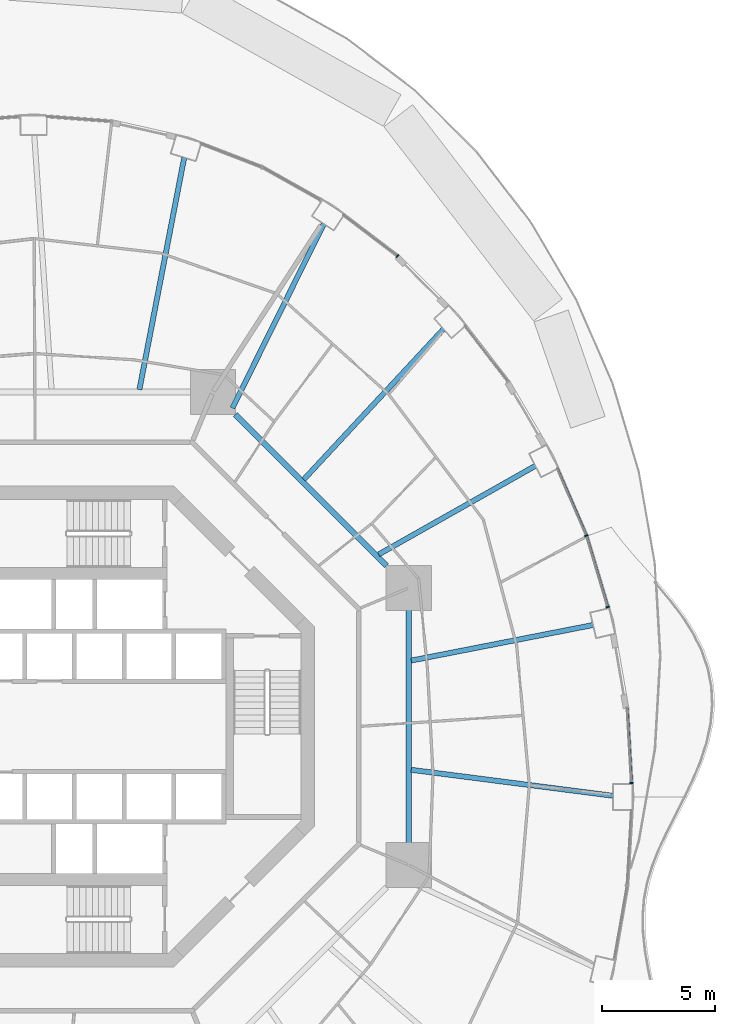
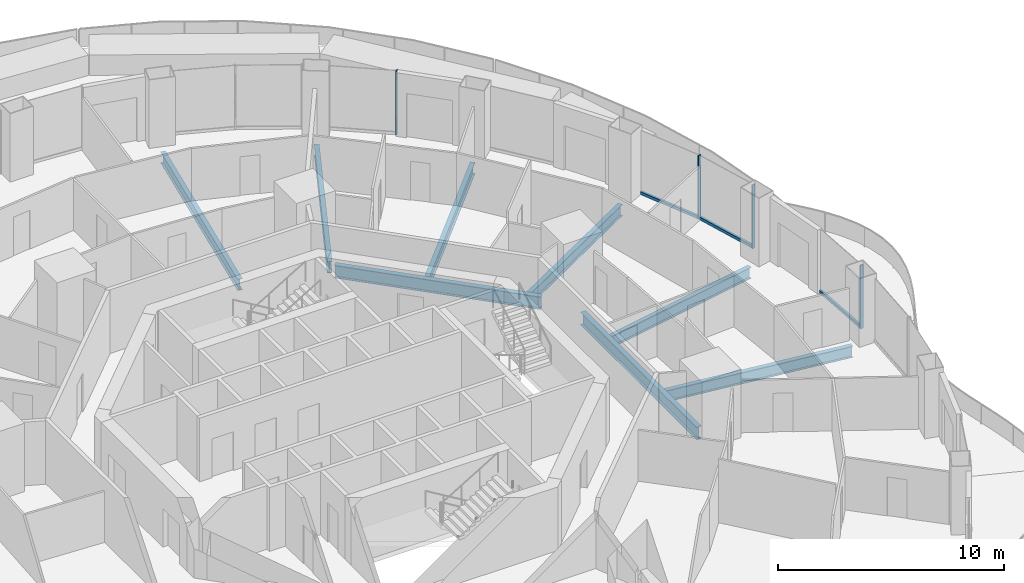
# One storey, part 8 of 20: 8 beams, 7 members, 4 elements without a shape of their own.
"""IFC4 building model written with IfcOpenShell, lengths in metres."""

from ifc_helpers import new_model, si_unit, direction, frame, origin, origin_2d, place, context, subcontext, project, spatial, rectangle, i_section, extrude, material, layer, layer_set, material_profile, profile_set, type_object, element, aggregate, save


model = new_model("IFC4")

# Units and contexts
model_context = context("Model", 3, precision=1e-05, world=origin(), true_north=direction((0.0, 1.0)))
body_context = subcontext(model_context, "Body", "Model", "MODEL_VIEW")
ifc_project = project(units=[si_unit("LENGTHUNIT", "METRE"), si_unit("AREAUNIT", "SQUARE_METRE"), si_unit("VOLUMEUNIT", "CUBIC_METRE"), si_unit("PLANEANGLEUNIT", "RADIAN"), si_unit("MASSUNIT", "GRAM", prefix="KILO")], contexts=[model_context])

# Site, building, storey
site_placement = place(None, origin())
site = spatial("IfcSite", under=ifc_project, at=site_placement, CompositionType="ELEMENT")
building_placement = place(site_placement, origin())
building = spatial("IfcBuilding", under=site, at=building_placement, Name="Nagisa Residences", CompositionType="ELEMENT")
storey_placement = place(building_placement, frame((0.0, 0.0, 119.60009765625)))
storey = spatial("IfcBuildingStorey", under=building, at=storey_placement, Name="L29", CompositionType="ELEMENT", Elevation=119.60009765625)

# Curtain wall, member
ifc_material_1 = material(Name="Concrete-coloured aluminium curtain wall system", Category="concrete")
ifc_layer = layer(ifc_material_1, 0.159912109375)
ifc_layer_set = layer_set([ifc_layer], Name="CW1 CURTAIN WALL")
curtain_wall_type = type_object("IfcCurtainWallType", Name="CW1 CURTAIN WALL", PredefinedType="NOTDEFINED", material=ifc_layer_set)
curtain_wall_1_placement = place(storey_placement, origin())
curtain_wall_1 = element("IfcCurtainWall", 1, at=curtain_wall_1_placement, inside=storey, type_object=curtain_wall_type, Name="cw:CW1:L29:00", PredefinedType="NOTDEFINED")
ifc_material_2 = material(Name="Concrete-coloured aluminium", Category="concrete")
ifc_material_profile_1 = material_profile(ifc_material_2, rectangle(XDim=0.159912109375, YDim=0.06005859375, at=origin_2d()), Name="CW1 MULLION 160x60")
ifc_profile_set_1 = profile_set([ifc_material_profile_1], Name="Concrete-coloured aluminium")
member_type_1 = type_object("IfcMemberType", Name="CW1 MULLION 160x60", PredefinedType="MULLION", material=ifc_profile_set_1)
member_1_placement = place(storey_placement, frame((24.618896484375, -2.493408203125, 0.0), z_axis=(0.0, 0.0, 1.0), x_axis=(-0.998345305184, -0.057503492216, 0.0)))
member_1 = element("IfcMember", 2, at=member_1_placement, type_object=member_type_1, Name="CW1 mullion", PredefinedType="MULLION", context=body_context, shape_type="SweptSolid", body=[
    extrude(rectangle(XDim=0.159912109375, YDim=0.06005859375, at=origin_2d()), origin(), (0.0, 0.0, 1.0), 3.43994140625),
])

curtain_wall_2_placement = place(storey_placement, origin())
curtain_wall_2 = element("IfcCurtainWall", 3, at=curtain_wall_2_placement, inside=storey, type_object=curtain_wall_type, Name="cw:CW1:L29:02", PredefinedType="NOTDEFINED")
member_2_placement = place(storey_placement, frame((23.573974609375, 5.278076171875, 0.0), z_axis=(0.0, 0.0, 1.0), x_axis=(-0.958271310082, -0.285860274038, 0.0)))
member_2 = element("IfcMember", 4, at=member_2_placement, type_object=member_type_1, Name="CW1 mullion", PredefinedType="MULLION", context=body_context, shape_type="SweptSolid", body=[
    extrude(rectangle(XDim=0.159912109375, YDim=0.06005859375, at=origin_2d()), origin(), (0.0, 0.0, 1.0), 3.43994140625),
])

curtain_wall_3_placement = place(storey_placement, origin())
curtain_wall_3 = element("IfcCurtainWall", 5, at=curtain_wall_3_placement, inside=storey, type_object=curtain_wall_type, Name="cw:CW1:L29:03", PredefinedType="NOTDEFINED")
member_3_placement = place(storey_placement, frame((22.6298828125, 8.43310546875, 0.0), z_axis=(0.0, 0.0, 1.0), x_axis=(-0.917543276295, -0.397635934147, 0.0)))
member_3 = element("IfcMember", 6, at=member_3_placement, type_object=member_type_1, Name="CW1 mullion", PredefinedType="MULLION", context=body_context, shape_type="SweptSolid", body=[
    extrude(rectangle(XDim=0.159912109375, YDim=0.06005859375, at=origin_2d()), origin(), (0.0, 0.0, 1.0), 3.43994140625),
])

curtain_wall_4_placement = place(storey_placement, origin())
curtain_wall_4 = element("IfcCurtainWall", 7, at=curtain_wall_4_placement, inside=storey, type_object=curtain_wall_type, Name="cw:CW1:L29:07", PredefinedType="NOTDEFINED")
member_4_placement = place(storey_placement, frame((14.28125, 20.7919921875, 0.0), z_axis=(0.0, 0.0, 1.0), x_axis=(-0.605255421737, -0.79603132756, 0.0)))
member_4 = element("IfcMember", 8, at=member_4_placement, type_object=member_type_1, Name="CW1 mullion", PredefinedType="MULLION", context=body_context, shape_type="SweptSolid", body=[
    extrude(rectangle(XDim=0.159912109375, YDim=0.06005859375, at=origin_2d()), origin(), (0.0, 0.0, 1.0), 3.43994140625),
])
aggregate(curtain_wall_4, [member_4])

# Member
ifc_material_3 = material(Name="Concrete-coloured aluminium", Category="concrete")
ifc_material_profile_2 = material_profile(ifc_material_3, rectangle(XDim=0.1201171875, YDim=0.14990234375, at=origin_2d()), Name="CW1 TRANSOM 120x150")
ifc_profile_set_2 = profile_set([ifc_material_profile_2], Name="Concrete-coloured aluminium")
member_type_2 = type_object("IfcMemberType", Name="CW1 TRANSOM 120x150", PredefinedType="USERDEFINED", material=ifc_profile_set_2)
member_5_placement = place(storey_placement, frame((24.62060546875, -2.523193359375, 0.074951171875), z_axis=(-0.057469329432, 0.998347272333, 0.0), x_axis=(-0.998347272333, -0.057469329432, 0.0)))
member_5 = element("IfcMember", 9, at=member_5_placement, type_object=member_type_2, Name="CW1 transom", ObjectType="TRANSOM", PredefinedType="USERDEFINED", context=body_context, shape_type="SweptSolid", body=[
    extrude(rectangle(XDim=0.1201171875, YDim=0.14990234375, at=origin_2d()), origin(), (0.0, 0.0, 1.0), 3.34765625),
])

aggregate(curtain_wall_1, [member_1, member_5])

member_6_placement = place(storey_placement, frame((23.582763671875, 5.24951171875, 0.074951171875), z_axis=(-0.285909915381, 0.958256500258, 0.0), x_axis=(-0.958256500258, -0.285909915381, 0.0)))
member_6 = element("IfcMember", 10, at=member_6_placement, type_object=member_type_2, Name="CW1 transom", ObjectType="TRANSOM", PredefinedType="USERDEFINED", context=body_context, shape_type="SweptSolid", body=[
    extrude(rectangle(XDim=0.1201171875, YDim=0.14990234375, at=origin_2d()), origin(), (0.0, 0.0, 1.0), 3.302978515625),
])

aggregate(curtain_wall_2, [member_2, member_6])

member_7_placement = place(storey_placement, frame((22.641845703125, 8.405517578125, 0.074951171875), z_axis=(-0.397638954585, 0.917541967321, 0.0), x_axis=(-0.917541967321, -0.397638954585, 0.0)))
member_7 = element("IfcMember", 11, at=member_7_placement, type_object=member_type_2, Name="CW1 transom", ObjectType="TRANSOM", PredefinedType="USERDEFINED", context=body_context, shape_type="SweptSolid", body=[
    extrude(rectangle(XDim=0.1201171875, YDim=0.14990234375, at=origin_2d()), origin(), (0.0, 0.0, 1.0), 3.2607421875),
])

aggregate(curtain_wall_3, [member_3, member_7])

# Beams
ifc_material_4 = material(Name="Steel ASTM A572 Gr 50", Category="steel")
ifc_material_profile_3 = material_profile(ifc_material_4, i_section(OverallWidth=0.25390625, OverallDepth=0.68408203125, WebThickness=0.012451171875, FlangeThickness=0.018798828125, at=origin_2d()), Name="W690x140")
ifc_profile_set_3 = profile_set([ifc_material_profile_3], Name="Steel ASTM A572 Gr 50")
beam_type_1 = type_object("IfcBeamType", Name="Inner ring beam W690x140", PredefinedType="BEAM", material=ifc_profile_set_3)
beam_1_placement = place(storey_placement, frame((13.796142578125, 7.10888671875, -0.60205078125), z_axis=(-0.707106781187, 0.707106781187, 0.0), x_axis=(-0.707106781187, -0.707106781187, 0.0)))
element("IfcBeam", 12, at=beam_1_placement, inside=storey, type_object=beam_type_1, Name="beam:L29:ib1", PredefinedType="BEAM", context=body_context, shape_type="SweptSolid", body=[
    extrude(i_section(OverallWidth=0.25390625, OverallDepth=0.68408203125, WebThickness=0.012451171875, FlangeThickness=0.018798828125, at=origin_2d()), origin(), (0.0, 0.0, 1.0), 9.457275390625),
])
beam_2_placement = place(storey_placement, frame((14.781982421875, -5.142822265625, -0.60205078125), z_axis=(0.0, 1.0, 0.0), x_axis=(-1.0, 0.0, 0.0)))
element("IfcBeam", 13, at=beam_2_placement, inside=storey, type_object=beam_type_1, Name="beam:L29:ib8", PredefinedType="BEAM", context=body_context, shape_type="SweptSolid", body=[
    extrude(i_section(OverallWidth=0.25390625, OverallDepth=0.68408203125, WebThickness=0.012451171875, FlangeThickness=0.018798828125, at=origin_2d()), origin(), (0.0, 0.0, 1.0), 10.28564453125),
])
ifc_material_5 = material(Name="Steel ASTM A572 Gr 50", Category="steel")
ifc_material_profile_4 = material_profile(ifc_material_5, i_section(OverallWidth=0.22900390625, OverallDepth=0.612060546875, WebThickness=0.011962890625, FlangeThickness=0.01953125, at=origin_2d()), Name="W610x125")
ifc_profile_set_4 = profile_set([ifc_material_profile_4], Name="Steel ASTM A572 Gr 50")
beam_type_2 = type_object("IfcBeamType", Name="Radial beam W610x125", PredefinedType="BEAM", material=ifc_profile_set_4)
beam_3_placement = place(storey_placement, frame((23.804931640625, -3.062255859375, -0.566162109375), z_axis=(-0.991829934558, 0.127567162371, 0.0), x_axis=(-0.127567162371, -0.991829934558, 0.0)))
element("IfcBeam", 14, at=beam_3_placement, inside=storey, type_object=beam_type_2, Name="beam:L29:rb01", PredefinedType="BEAM", context=body_context, shape_type="SweptSolid", body=[
    extrude(i_section(OverallWidth=0.22900390625, OverallDepth=0.612060546875, WebThickness=0.011962890625, FlangeThickness=0.01953125, at=origin_2d()), origin(), (0.0, 0.0, 1.0), 8.9892578125),
])
beam_4_placement = place(storey_placement, frame((22.925537109375, 4.4853515625, -0.566162109375), z_axis=(-0.981393143406, -0.192009109355, 0.0), x_axis=(0.192009109355, -0.981393143406, 0.0)))
element("IfcBeam", 15, at=beam_4_placement, inside=storey, type_object=beam_type_2, Name="beam:L29:rb02", PredefinedType="BEAM", context=body_context, shape_type="SweptSolid", body=[
    extrude(i_section(OverallWidth=0.22900390625, OverallDepth=0.612060546875, WebThickness=0.011962890625, FlangeThickness=0.01953125, at=origin_2d()), origin(), (0.0, 0.0, 1.0), 8.1884765625),
])
beam_5_placement = place(storey_placement, frame((20.372314453125, 11.51806640625, -0.566162109375), z_axis=(-0.870505636565, -0.492158446751, 0.0), x_axis=(0.492158446751, -0.870505636565, 0.0)))
element("IfcBeam", 16, at=beam_5_placement, inside=storey, type_object=beam_type_2, Name="beam:L29:rb03", PredefinedType="BEAM", context=body_context, shape_type="SweptSolid", body=[
    extrude(i_section(OverallWidth=0.22900390625, OverallDepth=0.612060546875, WebThickness=0.011962890625, FlangeThickness=0.01953125, at=origin_2d()), origin(), (0.0, 0.0, 1.0), 7.949951171875),
])
beam_6_placement = place(storey_placement, frame((16.315185546875, 17.56298828125, -0.566162109375), z_axis=(-0.680605908425, -0.7326497099, 0.0), x_axis=(0.7326497099, -0.680605908425, 0.0)))
element("IfcBeam", 17, at=beam_6_placement, inside=storey, type_object=beam_type_2, Name="beam:L29:rb04", PredefinedType="BEAM", context=body_context, shape_type="SweptSolid", body=[
    extrude(i_section(OverallWidth=0.22900390625, OverallDepth=0.612060546875, WebThickness=0.011962890625, FlangeThickness=0.01953125, at=origin_2d()), origin(), (0.0, 0.0, 1.0), 9.072509765625),
])
beam_7_placement = place(storey_placement, frame((11.02490234375, 22.2109375, -0.566162109375), z_axis=(-0.444599872799, -0.895729285614, 0.0), x_axis=(0.895729285614, -0.444599872799, 0.0)))
element("IfcBeam", 18, at=beam_7_placement, inside=storey, type_object=beam_type_2, Name="beam:L29:rb05", PredefinedType="BEAM", context=body_context, shape_type="SweptSolid", body=[
    extrude(i_section(OverallWidth=0.22900390625, OverallDepth=0.612060546875, WebThickness=0.011962890625, FlangeThickness=0.01953125, at=origin_2d()), origin(), (0.0, 0.0, 1.0), 9.085693359375),
])
beam_8_placement = place(storey_placement, frame((4.8564453125, 25.140869140625, -0.566162109375), z_axis=(-0.189659094365, -0.981850002762, 0.0), x_axis=(0.981850002762, -0.189659094365, 0.0)))
element("IfcBeam", 19, at=beam_8_placement, inside=storey, type_object=beam_type_2, Name="beam:L29:rb06", PredefinedType="BEAM", context=body_context, shape_type="SweptSolid", body=[
    extrude(i_section(OverallWidth=0.22900390625, OverallDepth=0.612060546875, WebThickness=0.011962890625, FlangeThickness=0.01953125, at=origin_2d()), origin(), (0.0, 0.0, 1.0), 10.44091796875),
])

save(model, "model.ifc")
